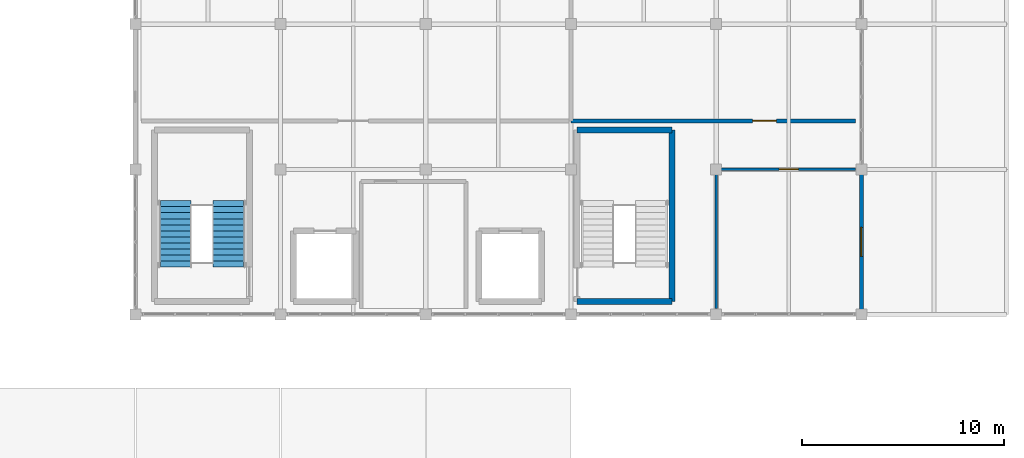
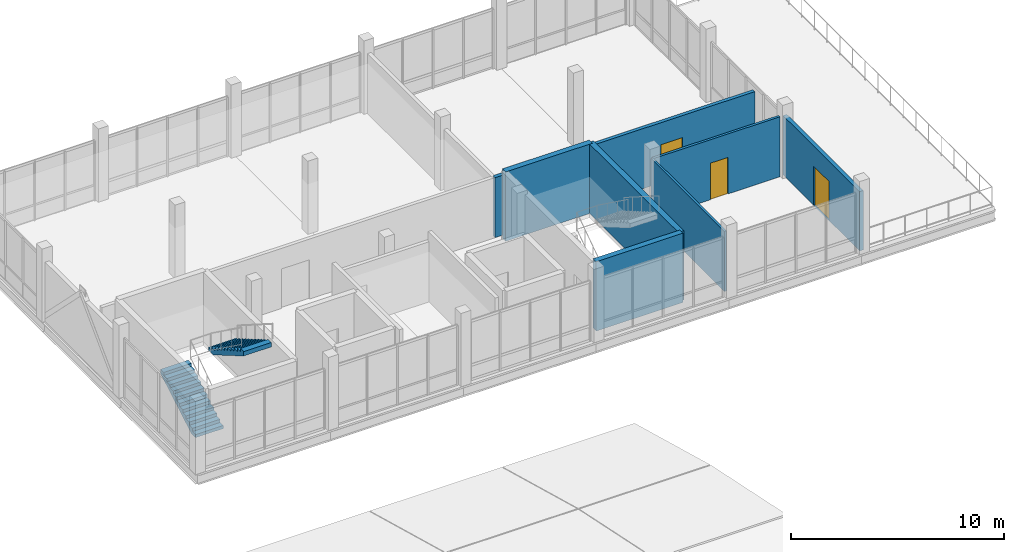
# One storey, part 41 of 47: 7 walls, 3 doors, 2 stair flights, 3 openings, 1 element without a shape of its own.
"""IFC4 building model written with IfcOpenShell, lengths in metres."""

import ifcopenshell
import ifcopenshell.guid

model = None  # the IFC model being written
_history = None  # IfcOwnerHistory: only IFC2X3 demands one
_inside = {}  # id of a spatial element -> (the spatial element, [elements in it])
_under = {}  # id of a project, library or spatial element -> (it, [spatial elements below it])
_declared = {}  # id of a project -> (the project, [libraries it declares])
_typed = {}  # id of a type object -> (the type object, [elements of that type])
_made_of = {}  # id of a material, layer set ... -> (it, [elements and type objects made of it])


def new_model(schema):
    """Start an empty IFC model of exactly this schema.

    Asked for "IFC4X3", IfcOpenShell would pick the latest addendum, in which some entities
    have other attributes; the version numbers below select the first issue.
    IFC2X3 requires an IfcOwnerHistory on every rooted entity: one is made here for all.
    """
    global model, _history
    if schema == "IFC4X3":
        model = ifcopenshell.file(schema_version=(4, 3, 0, 0))
    else:
        model = ifcopenshell.file(schema=schema)
    _inside.clear()
    _under.clear()
    _declared.clear()
    _typed.clear()
    _made_of.clear()
    _history = None
    if model.schema == "IFC2X3":
        org = make("IfcOrganization", Name="unknown")
        user = make(
            "IfcPersonAndOrganization",
            ThePerson=make("IfcPerson", FamilyName="unknown"),
            TheOrganization=org,
        )
        app = make(
            "IfcApplication",
            ApplicationDeveloper=org,
            Version="unknown",
            ApplicationFullName="unknown",
            ApplicationIdentifier="unknown",
        )
        _history = make(
            "IfcOwnerHistory",
            OwningUser=user,
            OwningApplication=app,
            ChangeAction="ADDED",
            CreationDate=0,
        )
    return model


def make(cls, **values):
    """One entity of the class cls with the attributes given. An attribute that is None is left unset."""
    return model.create_entity(
        cls, **{name: value for name, value in values.items() if value is not None}
    )


def rooted(cls, **values):
    """An entity with a GlobalId (a new one), such as an element, a storey or a relation."""
    return make(cls, GlobalId=ifcopenshell.guid.new(), OwnerHistory=_history, **values)


def si_unit(unit_type, name, prefix=None):
    """IfcSIUnit, for example si_unit("LENGTHUNIT", "METRE", prefix="MILLI")."""
    return make("IfcSIUnit", UnitType=unit_type, Prefix=prefix, Name=name)


def assignment(units):
    """IfcUnitAssignment: the units of a project."""
    return None if units is None else make("IfcUnitAssignment", Units=units)


def point(xyz):
    """IfcCartesianPoint."""
    return None if xyz is None else make("IfcCartesianPoint", Coordinates=xyz)


def direction(xyz):
    """IfcDirection."""
    return None if xyz is None else make("IfcDirection", DirectionRatios=xyz)


def frame(location, z_axis=None, x_axis=None):
    """IfcAxis2Placement3D, a coordinate frame: its origin and axes. An axis left out is left unset."""
    return make(
        "IfcAxis2Placement3D",
        Location=point(location),
        Axis=direction(z_axis),
        RefDirection=direction(x_axis),
    )


def frame_2d(location, x_axis=None):
    """IfcAxis2Placement2D, a coordinate frame in the plane: its origin and x axis."""
    return make(
        "IfcAxis2Placement2D", Location=point(location), RefDirection=direction(x_axis)
    )


def origin():
    """The frame at (0, 0, 0) with its axes left unset."""
    return frame((0.0, 0.0, 0.0))


def place(relative_to, where):
    """IfcLocalPlacement: puts the frame where relative to a parent placement (None: the world)."""
    return make(
        "IfcLocalPlacement", PlacementRelTo=relative_to, RelativePlacement=where
    )


def context(
    kind, dimensions, precision=None, world=None, true_north=None, identifier=None
):
    """IfcGeometricRepresentationContext, for example the 3D "Model" context."""
    return make(
        "IfcGeometricRepresentationContext",
        ContextIdentifier=identifier,
        ContextType=kind,
        CoordinateSpaceDimension=dimensions,
        Precision=precision,
        WorldCoordinateSystem=world,
        TrueNorth=true_north,
    )


def subcontext(parent, identifier, kind, view, scale=None):
    """IfcGeometricRepresentationSubContext, for example "Body" below "Model"."""
    return make(
        "IfcGeometricRepresentationSubContext",
        ContextIdentifier=identifier,
        ContextType=kind,
        ParentContext=parent,
        TargetScale=scale,
        TargetView=view,
    )


def project(units=None, contexts=None):
    """IfcProject with its units and contexts."""
    return rooted(
        "IfcProject",
        Name="project",
        RepresentationContexts=contexts,
        UnitsInContext=assignment(units),
    )


def spatial(cls, under=None, at=None, **own):
    """A site, building, storey or space (cls), placed at a placement, below another one or the project."""
    s = rooted(cls, ObjectPlacement=at, **own)
    if under is not None:
        _under.setdefault(under.id(), (under, []))[1].append(s)
    return s


def polyline(points):
    """IfcPolyline through the points."""
    return make("IfcPolyline", Points=[point(p) for p in points])


def profile(cls, at=None, kind="AREA", **sizes):
    """A parametric profile (cls). Its sizes go by their IFC names, for example OverallWidth=200.0."""
    return make(cls, ProfileType=kind, Position=at, **sizes)


def rectangle(**sizes):
    """IfcRectangleProfileDef."""
    return profile("IfcRectangleProfileDef", **sizes)


def outline(outer, holes=None, kind="AREA"):
    """IfcArbitraryClosedProfileDef: a profile drawn as a closed curve; with holes, ...WithVoids."""
    if holes is None:
        return make("IfcArbitraryClosedProfileDef", ProfileType=kind, OuterCurve=outer)
    return make(
        "IfcArbitraryProfileDefWithVoids",
        ProfileType=kind,
        OuterCurve=outer,
        InnerCurves=holes,
    )


def extrude(swept, where, along, depth):
    """IfcExtrudedAreaSolid: the profile swept, set in the frame where, extruded along a direction by depth."""
    return make(
        "IfcExtrudedAreaSolid",
        SweptArea=swept,
        Position=where,
        ExtrudedDirection=direction(along),
        Depth=depth,
    )


def shape(context_of_items, identifier, shape_type, items):
    """IfcShapeRepresentation: the items that make up one representation, for example the "Body"."""
    return make(
        "IfcShapeRepresentation",
        ContextOfItems=context_of_items,
        RepresentationIdentifier=identifier,
        RepresentationType=shape_type,
        Items=items,
    )


def material(Name=None, Category=None):
    """IfcMaterial."""
    return make("IfcMaterial", Name=Name, Category=Category)


def layer(
    of_material, thickness, ventilated=None, Name=None, Category=None, Priority=None
):
    """IfcMaterialLayer: one layer of a wall or slab, of a material (None: an air gap)."""
    return make(
        "IfcMaterialLayer",
        Material=of_material,
        LayerThickness=thickness,
        IsVentilated=ventilated,
        Name=Name,
        Category=Category,
        Priority=Priority,
    )


def layer_set(layers, Name=None):
    """IfcMaterialLayerSet."""
    return make("IfcMaterialLayerSet", MaterialLayers=layers, LayerSetName=Name)


def made_of(thing, what):
    """Note that an element or type object is made of a material, layer set ...; save() writes the relation."""
    if what is not None:
        _made_of.setdefault(what.id(), (what, []))[1].append(thing)
    return thing


def type_object(cls, material=None, **own):
    """A type object (cls), such as IfcWallType, which elements share."""
    return made_of(rooted(cls, **own), material)


def element(
    cls,
    number,
    at=None,
    inside=None,
    cuts=None,
    type_object=None,
    material=None,
    context=None,
    identifier="Body",
    shape_type=None,
    held_by="IfcProductDefinitionShape",
    body=None,
    shapes=None,
    **own,
):
    """One element of the class cls, such as IfcWall. Its Tag is "e" and its number.

    at: its placement. inside: the storey or other place that contains it. cuts: it is an
    opening in that element (IfcRelVoidsElement). A single representation is given by context,
    identifier, shape_type and body (its items); several are given by shapes. held_by: the class
    of the entity that holds the representations. save() writes the other relations.
    """
    e = rooted(cls, Tag="e%d" % number, ObjectPlacement=at, **own)
    if body is not None:
        shapes = [shape(context, identifier, shape_type, body)]
    if shapes is not None:
        e.Representation = make(held_by, Representations=shapes)
    if inside is not None:
        _inside.setdefault(inside.id(), (inside, []))[1].append(e)
    if cuts is not None:
        rooted(
            "IfcRelVoidsElement", RelatingBuildingElement=cuts, RelatedOpeningElement=e
        )
    if type_object is not None:
        _typed.setdefault(type_object.id(), (type_object, []))[1].append(e)
    return made_of(e, material)


def fill(opening, filler):
    """IfcRelFillsElement: the door or window that sits in an opening."""
    return rooted(
        "IfcRelFillsElement",
        RelatingOpeningElement=opening,
        RelatedBuildingElement=filler,
    )


def aggregate(whole, parts):
    """IfcRelAggregates: a whole, such as a stair, and the parts it consists of."""
    return rooted("IfcRelAggregates", RelatingObject=whole, RelatedObjects=parts)


def save(model, path):
    """Write the relations noted so far, then the file.

    IfcRelAggregates (storeys below a building ...), IfcRelContainedInSpatialStructure (elements
    in a storey), IfcRelDefinesByType, IfcRelAssociatesMaterial and IfcRelDeclares: one each for
    every whole, place, type object, material and project.
    """
    for whole, parts in _under.values():
        aggregate(whole, parts)
    for where, things in _inside.values():
        rooted(
            "IfcRelContainedInSpatialStructure",
            RelatedElements=things,
            RelatingStructure=where,
        )
    for kind, things in _typed.values():
        rooted("IfcRelDefinesByType", RelatedObjects=things, RelatingType=kind)
    for what, things in _made_of.values():
        rooted("IfcRelAssociatesMaterial", RelatedObjects=things, RelatingMaterial=what)
    for by, libraries in _declared.values():
        rooted("IfcRelDeclares", RelatingContext=by, RelatedDefinitions=libraries)
    model.write(path)


model = new_model("IFC4")

# Units and contexts
model_context = context("Model", 3, precision=1e-05, world=origin(), true_north=direction((0.0, 1.0)))
body_context = subcontext(model_context, "Body", "Model", "MODEL_VIEW")
ifc_project = project(units=[si_unit("LENGTHUNIT", "METRE"), si_unit("AREAUNIT", "SQUARE_METRE"), si_unit("VOLUMEUNIT", "CUBIC_METRE"), si_unit("PLANEANGLEUNIT", "RADIAN"), si_unit("MASSUNIT", "GRAM", prefix="KILO")], contexts=[model_context])

# Site, building, storey
site_placement = place(None, origin())
site = spatial("IfcSite", under=ifc_project, at=site_placement, CompositionType="ELEMENT")
building_placement = place(site_placement, origin())
building = spatial("IfcBuilding", under=site, at=building_placement, Name="Yarey Park Central Fire Station", CompositionType="ELEMENT")
storey_placement = place(building_placement, frame((0.0, 0.0, 18.0)))
storey = spatial("IfcBuildingStorey", under=building, at=storey_placement, Name="L05", CompositionType="ELEMENT", Elevation=18.0)

# Wall, opening, door
ifc_material_1 = material(Name="Concrete C35/45", Category="concrete")
ifc_layer_1 = layer(ifc_material_1, 0.205078125)
ifc_layer_set_1 = layer_set([ifc_layer_1], Name="Concrete C35/45")
wall_type_1 = type_object("IfcWallType", Name="ENV_WALL_INS205", PredefinedType="STANDARD", material=ifc_layer_set_1)
wall_1_placement = place(storey_placement, frame((151.199951171875, 93.60009765625, 0.0), z_axis=(0.0, 0.0, 1.0), x_axis=(0.0, 1.0, 0.0)))
wall_1 = element("IfcWall", 1, at=wall_1_placement, inside=storey, type_object=wall_type_1, Name="EW_L05_V4_TER_DOOR", PredefinedType="STANDARD", context=body_context, shape_type="SweptSolid", body=[
    extrude(rectangle(XDim=7.199951171875, YDim=0.205078125, at=frame_2d((3.60009765625, 0.0))), origin(), (0.0, 0.0, 1.0), 3.39990234375),
])
opening_1_placement = place(wall_1_placement, frame((2.8798828125, 0.0, 0.0)))
opening_1 = element("IfcOpeningElement", 2, at=opening_1_placement, cuts=wall_1, Name="Opening TD-144", PredefinedType="OPENING", context=body_context, shape_type="SweptSolid", body=[
    extrude(rectangle(XDim=1.43994140625, YDim=2.239990234375, at=frame_2d((0.719970703125, 1.1201171875))), frame((0.0, 0.112548828125, 0.0), z_axis=(0.0, -1.0, 0.0), x_axis=(1.0, 0.0, 0.0)), (0.0, 0.0, 1.0), 0.22509765625),
])
ifc_material_2 = material(Name="Anodized Aluminium Frame", Category="aluminium")
door_type_1 = type_object("IfcDoorType", Name="ENV_DOOR_TER1440", OperationType="NOTDEFINED", PredefinedType="DOOR", material=ifc_material_2)
door_1_placement = place(opening_1_placement, origin())
door_1 = element("IfcDoor", 3, at=door_1_placement, inside=storey, type_object=door_type_1, Name="DOOR_L05_TER_DISPATCH", OperationType="SINGLE_SWING_LEFT", OverallHeight=2.239990234375, OverallWidth=1.43994140625, PredefinedType="DOOR", context=body_context, shape_type="SweptSolid", body=[
    extrude(rectangle(XDim=1.43994140625, YDim=2.239990234375, at=frame_2d((0.719970703125, 1.1201171875))), frame((0.0, 0.02490234375, 0.0), z_axis=(0.0, -1.0, 0.0), x_axis=(1.0, 0.0, 0.0)), (0.0, 0.0, 1.0), 0.050048828125),
])
fill(opening_1, door_1)

# Walls
ifc_material_3 = material(Name="Concrete C40/50", Category="concrete")
ifc_layer_2 = layer(ifc_material_3, 0.300048828125)
ifc_layer_set_2 = layer_set([ifc_layer_2], Name="Concrete C40/50")
wall_type_2 = type_object("IfcWallType", Name="INT_CORE_RC300", PredefinedType="SHEAR", material=ifc_layer_set_2)
for number, where, z_axis, x_axis, name in (
    (4, (137.10009765625, 94.25, 0.0), (0.0, 0.0, 1.0), (1.0, 0.0, 0.0), "CWALL_C2_L05_S"),
    (5, (141.800048828125, 102.75, 0.0), (0.0, 0.0, 1.0), (-1.0, 0.0, 0.0), "CWALL_C2_L05_N"),
):
    element("IfcWall", number, at=place(storey_placement, frame(where, z_axis=z_axis, x_axis=x_axis)), inside=storey, type_object=wall_type_2, Name=name, PredefinedType="SHEAR", context=body_context, shape_type="SweptSolid", body=[
        extrude(rectangle(XDim=4.699951171875, YDim=0.300048828125, at=frame_2d((2.35009765625, 0.0))), origin(), (0.0, 0.0, 1.0), 3.97509765625),
    ])
wall_2_placement = place(storey_placement, frame((141.800048828125, 94.25, 0.0), z_axis=(0.0, 0.0, 1.0), x_axis=(0.0, 1.0, 0.0)))
element("IfcWall", 6, at=wall_2_placement, inside=storey, type_object=wall_type_2, Name="CWALL_C2_L05_E", PredefinedType="SHEAR", context=body_context, shape_type="SweptSolid", body=[
    extrude(rectangle(XDim=8.5, YDim=0.300048828125, at=frame_2d((4.25, 0.0))), origin(), (0.0, 0.0, 1.0), 3.97509765625),
])

# Wall, opening, door
ifc_layer_3 = layer(ifc_material_1, 0.18994140625)
ifc_layer_set_3 = layer_set([ifc_layer_3], Name="Concrete C35/45")
wall_type_3 = type_object("IfcWallType", Name="INT_WALL_CMU190", PredefinedType="STANDARD", material=ifc_layer_set_3)
wall_3_placement = place(storey_placement, frame((136.800048828125, 103.199951171875, 0.0), z_axis=(0.0, 0.0, 1.0), x_axis=(1.0, 0.0, 0.0)))
wall_3 = element("IfcWall", 7, at=wall_3_placement, inside=storey, type_object=wall_type_3, Name="PART_SPC_L05_RADIO_SOUTH", PredefinedType="STANDARD", context=body_context, shape_type="SweptSolid", body=[
    extrude(rectangle(XDim=14.099853515625, YDim=0.18994140625, at=frame_2d((7.0498046875, 0.0))), origin(), (0.0, 0.0, 1.0), 3.44189453125),
])
opening_2_placement = place(wall_3_placement, frame((9.010009765625, 0.0, 0.0)))
opening_2 = element("IfcOpeningElement", 8, at=opening_2_placement, cuts=wall_3, Name="Opening FD-118", PredefinedType="OPENING", context=body_context, shape_type="SweptSolid", body=[
    extrude(rectangle(XDim=1.179931640625, YDim=2.179931640625, at=frame_2d((0.58984375, 1.08984375))), frame((0.0, 0.10498046875, 0.0), z_axis=(0.0, -1.0, 0.0), x_axis=(1.0, 0.0, 0.0)), (0.0, 0.0, 1.0), 0.2099609375),
])
ifc_material_4 = material(Name="Galvanized Hollow Metal Door", Category="metal")
door_type_2 = type_object("IfcDoorType", Name="DR_FD_1180", OperationType="NOTDEFINED", PredefinedType="DOOR", material=ifc_material_4)
door_2_placement = place(opening_2_placement, origin())
door_2 = element("IfcDoor", 9, at=door_2_placement, inside=storey, type_object=door_type_2, Name="DOOR_SPC_L05_RADIO", OperationType="SINGLE_SWING_RIGHT", OverallHeight=2.179931640625, OverallWidth=1.179931640625, PredefinedType="DOOR", context=body_context, shape_type="SweptSolid", body=[
    extrude(rectangle(XDim=1.179931640625, YDim=2.179931640625, at=frame_2d((0.58984375, 1.08984375))), frame((0.0, 0.02490234375, 0.0), z_axis=(0.0, -1.0, 0.0), x_axis=(1.0, 0.0, 0.0)), (0.0, 0.0, 1.0), 0.050048828125),
])
fill(opening_2, door_2)

# Wall
ifc_material_5 = material(Name="Gypsum Acoustic Partition", Category="gypsum")
ifc_layer_4 = layer(ifc_material_5, 0.117919921875)
ifc_layer_set_4 = layer_set([ifc_layer_4], Name="Gypsum Acoustic Partition")
wall_type_4 = type_object("IfcWallType", Name="INT_WALL_PT118", PredefinedType="STANDARD", material=ifc_layer_set_4)
wall_4_placement = place(storey_placement, frame((144.0, 100.800048828125, 0.0), z_axis=(0.0, 0.0, 1.0), x_axis=(0.0, -1.0, 0.0)))
element("IfcWall", 10, at=wall_4_placement, inside=storey, type_object=wall_type_4, Name="PART_SPC_L05_V4_WCA_WEST", PredefinedType="STANDARD", context=body_context, shape_type="SweptSolid", body=[
    extrude(rectangle(XDim=6.900146484375, YDim=0.117919921875, at=frame_2d((3.4501953125, 0.0))), origin(), (0.0, 0.0, 1.0), 3.44189453125),
])

# Wall, opening, door
ifc_layer_5 = layer(ifc_material_5, 0.134033203125)
ifc_layer_set_5 = layer_set([ifc_layer_5], Name="Gypsum Acoustic Partition")
wall_type_5 = type_object("IfcWallType", Name="INT_WALL_PT134", PredefinedType="STANDARD", material=ifc_layer_set_5)
wall_5_placement = place(storey_placement, frame((150.89990234375, 100.800048828125, 0.0), z_axis=(0.0, 0.0, 1.0), x_axis=(-1.0, 0.0, 0.0)))
wall_5 = element("IfcWall", 11, at=wall_5_placement, inside=storey, type_object=wall_type_5, Name="PART_SPC_L05_V4_WCA_NORTH", PredefinedType="STANDARD", context=body_context, shape_type="SweptSolid", body=[
    extrude(rectangle(XDim=6.89990234375, YDim=0.134033203125, at=frame_2d((3.449951171875, 0.0))), origin(), (0.0, 0.0, 1.0), 3.44189453125),
])
opening_3_placement = place(wall_5_placement, frame((2.820068359375, 0.0, 0.0)))
opening_3 = element("IfcOpeningElement", 12, at=opening_3_placement, cuts=wall_5, Name="Opening WD-096", PredefinedType="OPENING", context=body_context, shape_type="SweptSolid", body=[
    extrude(rectangle(XDim=0.9599609375, YDim=2.10009765625, at=frame_2d((0.47998046875, 1.050048828125))), frame((0.0, 0.076904296875, 0.0), z_axis=(0.0, -1.0, 0.0), x_axis=(1.0, 0.0, 0.0)), (0.0, 0.0, 1.0), 0.154052734375),
])
ifc_material_6 = material(Name="Phenolic Moisture-Resistant Leaf", Category="wood")
door_type_3 = type_object("IfcDoorType", Name="DR_WC_960", OperationType="NOTDEFINED", PredefinedType="DOOR", material=ifc_material_6)
door_3_placement = place(opening_3_placement, origin())
door_3 = element("IfcDoor", 13, at=door_3_placement, inside=storey, type_object=door_type_3, Name="DOOR_SPC_L05_V4_WCA", OperationType="SINGLE_SWING_LEFT", OverallHeight=2.10009765625, OverallWidth=0.9599609375, PredefinedType="DOOR", context=body_context, shape_type="SweptSolid", body=[
    extrude(rectangle(XDim=0.9599609375, YDim=2.10009765625, at=frame_2d((0.47998046875, 1.050048828125))), frame((0.0, 0.02490234375, 0.0), z_axis=(0.0, -1.0, 0.0), x_axis=(1.0, 0.0, 0.0)), (0.0, 0.0, 1.0), 0.050048828125),
])
fill(opening_3, door_3)

# Stair, stair flights
stair_type = type_object("IfcStairType", Name="INT_ST_2RUN_150_H42", PredefinedType="USERDEFINED", material=ifc_material_3)
stair_placement = place(storey_placement, origin())
stair = element("IfcStair", 14, at=stair_placement, inside=storey, type_object=stair_type, Name="Exit Stair ST-1 L05", ObjectType="TWO_RUN_STAIR", PredefinedType="USERDEFINED")
stair_flight_type = type_object("IfcStairFlightType", Name="INT_FLT_150_12", PredefinedType="STRAIGHT", material=ifc_material_3)
stair_flight_1_placement = place(storey_placement, frame((117.199951171875, 95.949951171875, 0.0), z_axis=(0.0, 0.0, 1.0), x_axis=(0.0, 1.0, 0.0)))
stair_flight_1 = element("IfcStairFlight", 15, at=stair_flight_1_placement, type_object=stair_flight_type, Name="STAIR_C1_L05_F1", NumberOfRisers=12, NumberOfTreads=11, PredefinedType="STRAIGHT", RiserHeight=0.175, TreadLength=0.3, context=body_context, shape_type="SweptSolid", body=[
    extrude(outline(polyline([(0.0, 0.0), (0.0, 0.175048828125), (0.300048828125, 0.175048828125), (0.300048828125, 0.35009765625), (0.60009765625, 0.35009765625), (0.60009765625, 0.52490234375), (0.89990234375, 0.52490234375), (0.89990234375, 0.699951171875), (1.199951171875, 0.699951171875), (1.199951171875, 0.875), (1.5, 0.875), (1.5, 1.050048828125), (1.800048828125, 1.050048828125), (1.800048828125, 1.22509765625), (2.10009765625, 1.22509765625), (2.10009765625, 1.39990234375), (2.39990234375, 1.39990234375), (2.39990234375, 1.574951171875), (2.699951171875, 1.574951171875), (2.699951171875, 1.75), (3.0, 1.75), (3.0, 1.925048828125), (3.300048828125, 1.925048828125), (3.300048828125, 2.10009765625), (3.300048828125, 1.67041015625), (0.4365234375, 0.0), (0.0, 0.0)])), frame((0.0, 0.75, 0.0), z_axis=(0.0, -1.0, 0.0), x_axis=(1.0, 0.0, 0.0)), (0.0, 0.0, 1.0), 1.5),
])
stair_flight_2_placement = place(storey_placement, frame((119.800048828125, 99.25, 2.10009765625), z_axis=(0.0, 0.0, 1.0), x_axis=(0.0, -1.0, 0.0)))
stair_flight_2 = element("IfcStairFlight", 16, at=stair_flight_2_placement, type_object=stair_flight_type, Name="STAIR_C1_L05_F2", NumberOfRisers=12, NumberOfTreads=11, PredefinedType="STRAIGHT", RiserHeight=0.175, TreadLength=0.3, context=body_context, shape_type="SweptSolid", body=[
    extrude(outline(polyline([(0.0, 0.0), (0.0, 0.175048828125), (0.300048828125, 0.175048828125), (0.300048828125, 0.35009765625), (0.60009765625, 0.35009765625), (0.60009765625, 0.52490234375), (0.89990234375, 0.52490234375), (0.89990234375, 0.699951171875), (1.199951171875, 0.699951171875), (1.199951171875, 0.875), (1.5, 0.875), (1.5, 1.050048828125), (1.800048828125, 1.050048828125), (1.800048828125, 1.22509765625), (2.10009765625, 1.22509765625), (2.10009765625, 1.39990234375), (2.39990234375, 1.39990234375), (2.39990234375, 1.574951171875), (2.699951171875, 1.574951171875), (2.699951171875, 1.75), (3.0, 1.75), (3.0, 1.925048828125), (3.300048828125, 1.925048828125), (3.300048828125, 2.10009765625), (3.300048828125, 1.67041015625), (0.4365234375, 0.0), (0.0, 0.0)])), frame((0.0, 0.75, 0.0), z_axis=(0.0, -1.0, 0.0), x_axis=(1.0, 0.0, 0.0)), (0.0, 0.0, 1.0), 1.5),
])
aggregate(stair, [stair_flight_1, stair_flight_2])

save(model, "model.ifc")
